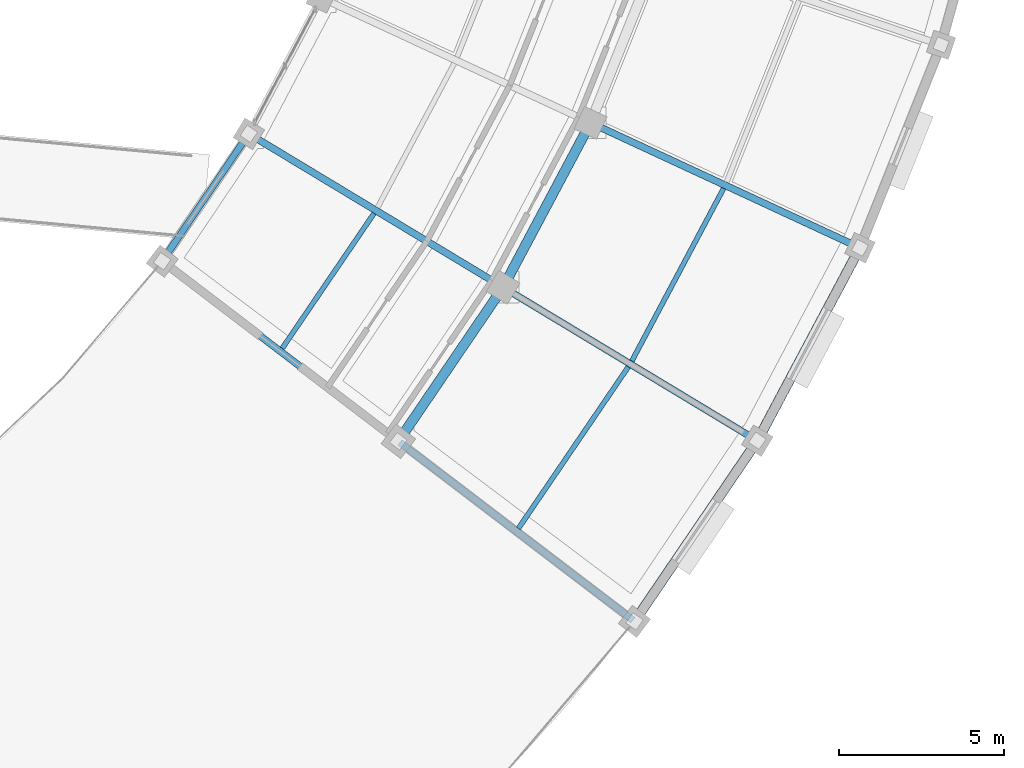
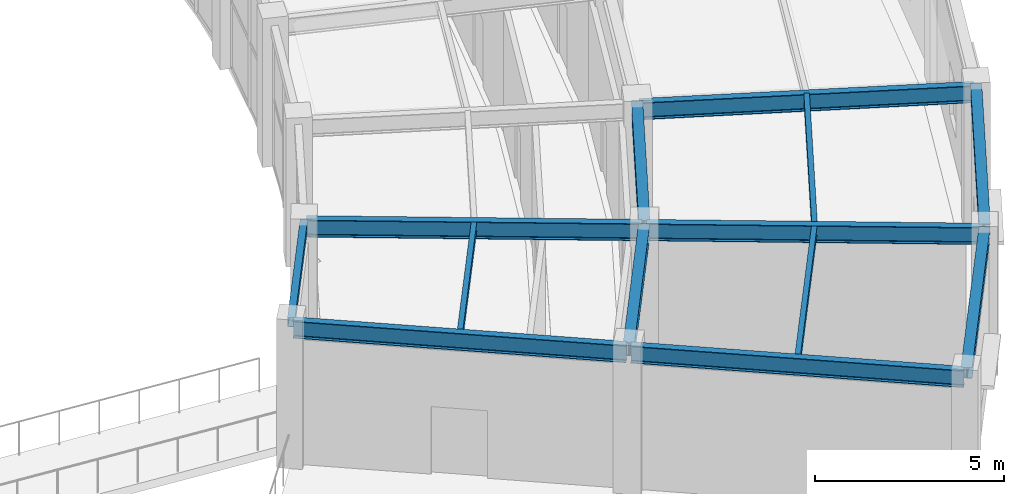
# One storey, part 54 of 100: 13 beams.
"""IFC4 building model written with IfcOpenShell, lengths in metres."""

from ifc_helpers import new_model, si_unit, direction, frame, origin, origin_2d, place, context, subcontext, project, spatial, hollow_rectangle, i_section, extrude, material, material_profile, profile_set, type_object, element, save


model = new_model("IFC4")

# Units and contexts
model_context = context("Model", 3, precision=1e-05, world=origin(), true_north=direction((0.0, 1.0)))
body_context = subcontext(model_context, "Body", "Model", "MODEL_VIEW")
ifc_project = project(units=[si_unit("LENGTHUNIT", "METRE"), si_unit("AREAUNIT", "SQUARE_METRE"), si_unit("VOLUMEUNIT", "CUBIC_METRE"), si_unit("PLANEANGLEUNIT", "RADIAN"), si_unit("MASSUNIT", "GRAM", prefix="KILO")], contexts=[model_context])

# Site, building, storey
site_placement = place(None, origin())
site = spatial("IfcSite", under=ifc_project, at=site_placement, CompositionType="ELEMENT")
building_placement = place(site_placement, origin())
building = spatial("IfcBuilding", under=site, at=building_placement, Name="Tarnveldt Headland Concert Hall", CompositionType="ELEMENT")
storey_placement = place(building_placement, frame((0.0, 0.0, 4.800048828125)))
storey = spatial("IfcBuildingStorey", under=building, at=storey_placement, Name="L01", CompositionType="ELEMENT", Elevation=4.800048828125)

# Beams
ifc_material = material(Name="Steel S355", Category="steel")
ifc_material_profile_1 = material_profile(ifc_material, i_section(OverallWidth=0.300048828125, OverallDepth=0.35009765625, WebThickness=0.010009765625, FlangeThickness=0.017578125, FilletRadius=0.027099609375, at=origin_2d()), Name="HEA360", Category="steel")
ifc_profile_set_1 = profile_set([ifc_material_profile_1], Name="Steel S355")
beam_type_1 = type_object("IfcBeamType", Name="SB-HEA360", PredefinedType="SPANDREL", material=ifc_profile_set_1)
beam_1_placement = place(storey_placement, frame((166.0361328125, 23.05615234375, 4.4150390625), z_axis=(0.562406572897, 0.826860838813, 0.0), x_axis=(-0.826860838813, 0.562406572897, 0.0)))
element("IfcBeam", 1, at=beam_1_placement, inside=storey, type_object=beam_type_1, Name="Framing beam L01-760", PredefinedType="SPANDREL", context=body_context, shape_type="SweptSolid", body=[
    extrude(i_section(OverallWidth=0.300048828125, OverallDepth=0.35009765625, WebThickness=0.010009765625, FlangeThickness=0.017578125, FilletRadius=0.027099609375, at=origin_2d()), origin(), (0.0, 0.0, 1.0), 6.5009765625),
])
beam_2_placement = place(storey_placement, frame((169.75439453125, 28.5341796875, 4.4150390625), z_axis=(0.469455397466, 0.882956187922, 0.0), x_axis=(-0.882956187922, 0.469455397466, 0.0)))
element("IfcBeam", 2, at=beam_2_placement, inside=storey, type_object=beam_type_1, Name="Framing beam L01-767", PredefinedType="SPANDREL", context=body_context, shape_type="SweptSolid", body=[
    extrude(i_section(OverallWidth=0.300048828125, OverallDepth=0.35009765625, WebThickness=0.010009765625, FlangeThickness=0.017578125, FilletRadius=0.027099609375, at=origin_2d()), origin(), (0.0, 0.0, 1.0), 6.501220703125),
])
ifc_material_profile_2 = material_profile(ifc_material, i_section(OverallWidth=0.300048828125, OverallDepth=0.43994140625, WebThickness=0.011474609375, FlangeThickness=0.02099609375, FilletRadius=0.027099609375, at=origin_2d()), Name="HEA450", Category="steel")
ifc_profile_set_2 = profile_set([ifc_material_profile_2], Name="Steel S355")
beam_type_2 = type_object("IfcBeamType", Name="SB-HEA450", PredefinedType="BEAM", material=ifc_profile_set_2)
for number, where, z_axis, x_axis, name in (
    (3, (158.8798828125, 28.51416015625, 4.369873046875), (0.562436935029, 0.826840186563, 0.0), (-0.826840186563, 0.562436935029, 0.0), "Framing beam L01-759"),
    (4, (162.048828125, 33.1845703125, 4.369873046875), (0.469470779484, 0.882948009348, 0.0), (-0.882948009348, 0.469470779484, 0.0), "Framing beam L01-766"),
):
    element("IfcBeam", number, at=place(storey_placement, frame(where, z_axis=z_axis, x_axis=x_axis)), inside=storey, type_object=beam_type_2, Name=name, PredefinedType="BEAM", context=body_context, shape_type="SweptSolid", body=[
        extrude(i_section(OverallWidth=0.300048828125, OverallDepth=0.43994140625, WebThickness=0.011474609375, FlangeThickness=0.02099609375, FilletRadius=0.027099609375, at=origin_2d()), origin(), (0.0, 0.0, 1.0), 5.5244140625),
    ])
ifc_material_profile_3 = material_profile(ifc_material, i_section(OverallWidth=0.14990234375, OverallDepth=0.300048828125, WebThickness=0.007080078125, FlangeThickness=0.0107421875, FilletRadius=0.014892578125, at=origin_2d()), Name="IPE300", Category="steel")
ifc_profile_set_3 = profile_set([ifc_material_profile_3], Name="Steel S355")
beam_type_3 = type_object("IfcBeamType", Name="SB-IPE300", PredefinedType="JOIST", material=ifc_profile_set_3)
beam_3_placement = place(storey_placement, frame((155.327392578125, 31.280517578125, 4.43994140625), z_axis=(0.562388329388, 0.82687324722, 0.0), x_axis=(-0.82687324722, 0.562388329388, 0.0)))
element("IfcBeam", 5, at=beam_3_placement, inside=storey, type_object=beam_type_3, Name="Framing beam L01-761", PredefinedType="JOIST", context=body_context, shape_type="SweptSolid", body=[
    extrude(i_section(OverallWidth=0.14990234375, OverallDepth=0.300048828125, WebThickness=0.007080078125, FlangeThickness=0.0107421875, FilletRadius=0.014892578125, at=origin_2d()), origin(), (0.0, 0.0, 1.0), 4.94580078125),
])
for number, where, z_axis, x_axis, name in (
    (6, (162.4833984375, 25.822265625, 4.43994140625), (0.562372031055, 0.826884332109, 0.0), (-0.826884332109, 0.562372031055, 0.0), "Framing beam L01-762"),
    (7, (165.922607421875, 30.899169921875, 4.43994140625), (0.469496755618, 0.882934197132, 0.0), (-0.882934197132, 0.469496755618, 0.0), "Framing beam L01-769"),
):
    element("IfcBeam", number, at=place(storey_placement, frame(where, z_axis=z_axis, x_axis=x_axis)), inside=storey, type_object=beam_type_3, Name=name, PredefinedType="JOIST", context=body_context, shape_type="SweptSolid", body=[
        extrude(i_section(OverallWidth=0.14990234375, OverallDepth=0.300048828125, WebThickness=0.007080078125, FlangeThickness=0.0107421875, FilletRadius=0.014892578125, at=origin_2d()), origin(), (0.0, 0.0, 1.0), 5.9228515625),
    ])
ifc_material_profile_4 = material_profile(ifc_material, i_section(OverallWidth=0.2099609375, OverallDepth=0.550048828125, WebThickness=0.010986328125, FlangeThickness=0.01708984375, FilletRadius=0.02392578125, at=origin_2d()), Name="IPE550", Category="steel")
ifc_profile_set_4 = profile_set([ifc_material_profile_4], Name="Steel S355")
beam_type_4 = type_object("IfcBeamType", Name="SB-IPE550", PredefinedType="BEAM", material=ifc_profile_set_4)
beam_4_placement = place(storey_placement, frame((151.73779296875, 33.88623046875, 4.31494140625), z_axis=(0.795127420909, -0.6064424, 0.0), x_axis=(0.6064424, 0.795127420909, 0.0)))
element("IfcBeam", 8, at=beam_4_placement, inside=storey, type_object=beam_type_4, Name="Framing beam L01-756", PredefinedType="BEAM", context=body_context, shape_type="SweptSolid", body=[
    extrude(i_section(OverallWidth=0.2099609375, OverallDepth=0.550048828125, WebThickness=0.010986328125, FlangeThickness=0.01708984375, FilletRadius=0.02392578125, at=origin_2d()), origin(), (0.0, 0.0, 1.0), 8.880126953125),
])
beam_5_placement = place(storey_placement, frame((158.89404296875, 28.427978515625, 4.31494140625), z_axis=(0.795130566959, -0.606438275084, 0.0), x_axis=(0.606438275084, 0.795130566959, 0.0)))
element("IfcBeam", 9, at=beam_5_placement, inside=storey, type_object=beam_type_4, Name="Framing beam L01-757", PredefinedType="BEAM", context=body_context, shape_type="SweptSolid", body=[
    extrude(i_section(OverallWidth=0.2099609375, OverallDepth=0.550048828125, WebThickness=0.010986328125, FlangeThickness=0.01708984375, FilletRadius=0.02392578125, at=origin_2d()), origin(), (0.0, 0.0, 1.0), 8.879638671875),
])
beam_6_placement = place(storey_placement, frame((154.36669921875, 37.7509765625, 4.31494140625), z_axis=(0.856155786083, -0.516717785602, 0.0), x_axis=(0.516717785602, 0.856155786083, 0.0)))
element("IfcBeam", 10, at=beam_6_placement, inside=storey, type_object=beam_type_4, Name="Framing beam L01-763", PredefinedType="BEAM", context=body_context, shape_type="SweptSolid", body=[
    extrude(i_section(OverallWidth=0.2099609375, OverallDepth=0.550048828125, WebThickness=0.010986328125, FlangeThickness=0.01708984375, FilletRadius=0.02392578125, at=origin_2d()), origin(), (0.0, 0.0, 1.0), 8.8798828125),
])
for number, where, z_axis, x_axis, name in (
    (11, (162.072021484375, 33.1005859375, 4.31494140625), (0.856163126583, -0.516705622845, 0.0), (0.516705622845, 0.856163126583, 0.0), "Framing beam L01-764"),
    (12, (164.724853515625, 38.090087890625, 4.264892578125), (0.907125568287, -0.420860075749, 0.0), (0.420860075749, 0.907125568287, 0.0), "Framing beam L01-771"),
):
    element("IfcBeam", number, at=place(storey_placement, frame(where, z_axis=z_axis, x_axis=x_axis)), inside=storey, type_object=beam_type_4, Name=name, PredefinedType="BEAM", context=body_context, shape_type="SweptSolid", body=[
        extrude(i_section(OverallWidth=0.2099609375, OverallDepth=0.550048828125, WebThickness=0.010986328125, FlangeThickness=0.01708984375, FilletRadius=0.02392578125, at=origin_2d()), origin(), (0.0, 0.0, 1.0), 8.880126953125),
    ])
ifc_material_profile_5 = material_profile(ifc_material, hollow_rectangle(XDim=0.199951171875, YDim=0.300048828125, WallThickness=0.012451171875, at=origin_2d()), Name="RHS 300x200x12.5", Category="steel")
ifc_profile_set_5 = profile_set([ifc_material_profile_5], Name="Steel S355")
beam_type_5 = type_object("IfcBeamType", Name="SB-RHS300", PredefinedType="SPANDREL", material=ifc_profile_set_5)
beam_7_placement = place(storey_placement, frame((151.723876953125, 33.97216796875, 4.43994140625), z_axis=(0.562406932975, 0.826860593898, 0.0), x_axis=(-0.826860593898, 0.562406932975, 0.0)))
element("IfcBeam", 13, at=beam_7_placement, inside=storey, type_object=beam_type_5, Name="Framing beam L01-758", PredefinedType="SPANDREL", context=body_context, shape_type="SweptSolid", body=[
    extrude(hollow_rectangle(XDim=0.199951171875, YDim=0.300048828125, WallThickness=0.012451171875, at=origin_2d()), origin(), (0.0, 0.0, 1.0), 4.547607421875),
])

save(model, "model.ifc")
